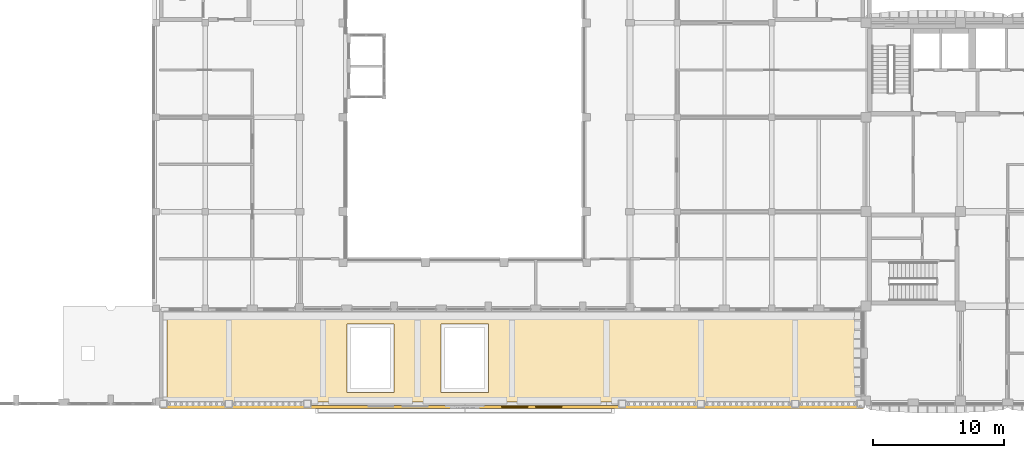
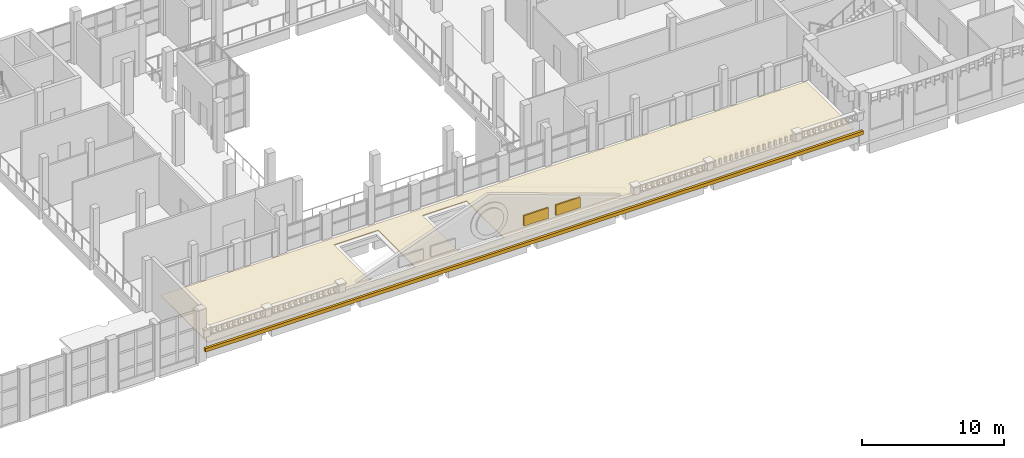
# One storey, part 35 of 58: 4 coverings.
"""IFC4 building model written with IfcOpenShell, lengths in metres."""

from ifc_helpers import new_model, si_unit, direction, frame, origin, origin_2d, place, context, subcontext, project, spatial, polyline, rectangle, outline, extrude, material, layer, layer_set, type_object, element, save


model = new_model("IFC4")

# Units and contexts
model_context = context("Model", 3, precision=1e-05, world=origin(), true_north=direction((0.0, 1.0)))
body_context = subcontext(model_context, "Body", "Model", "MODEL_VIEW")
ifc_project = project(units=[si_unit("LENGTHUNIT", "METRE"), si_unit("AREAUNIT", "SQUARE_METRE"), si_unit("VOLUMEUNIT", "CUBIC_METRE"), si_unit("PLANEANGLEUNIT", "RADIAN"), si_unit("MASSUNIT", "GRAM", prefix="KILO")], contexts=[model_context])

# Site, building, storey
site_placement = place(None, origin())
site = spatial("IfcSite", under=ifc_project, at=site_placement, CompositionType="ELEMENT")
building_placement = place(site_placement, origin())
building = spatial("IfcBuilding", under=site, at=building_placement, Name="Ussher Court Research Institute", CompositionType="ELEMENT")
storey_placement = place(building_placement, frame((0.0, 0.0, 9.89990234375)))
storey = spatial("IfcBuildingStorey", under=building, at=storey_placement, Name="L02", CompositionType="ELEMENT", Elevation=9.89990234375)

# Coverings
ifc_material_1 = material(Name="Limestone cornice", Category="masonry")
covering_type_1 = type_object("IfcCoveringType", Name="Cornice band 200x300", PredefinedType="CLADDING", material=ifc_material_1)
covering_1_placement = place(storey_placement, frame((55.199951171875, 3.5, 0.89990234375), z_axis=(0.0, 0.0, 1.0), x_axis=(1.0, 0.0, 0.0)))
element("IfcCovering", 1, at=covering_1_placement, inside=storey, type_object=covering_type_1, Name="Cornice CC3", PredefinedType="CLADDING", context=body_context, shape_type="SweptSolid", body=[
    extrude(rectangle(XDim=53.60009765625, YDim=0.199951171875, at=origin_2d()), origin(), (0.0, 0.0, 1.0), 0.300048828125),
])
ifc_material_2 = material(Name="Bituminous membrane with gravel ballast")
ifc_layer = layer(ifc_material_2, 0.080078125)
ifc_layer_set = layer_set([ifc_layer], Name="Bituminous membrane with gravel ballast")
covering_type_2 = type_object("IfcCoveringType", Name="Flat roof membrane and ballast 80", PredefinedType="ROOFING", material=ifc_layer_set)
covering_2_placement = place(storey_placement, frame((0.0, 0.0, 1.2001953125)))
element("IfcCovering", 2, at=covering_2_placement, inside=storey, type_object=covering_type_2, Name="Roof covering RC3 V6", PredefinedType="ROOFING", context=body_context, shape_type="SweptSolid", body=[
    extrude(outline(polyline([(28.89990234375, 10.60009765625), (81.5, 10.60009765625), (81.5, 3.89990234375), (28.89990234375, 3.89990234375), (28.89990234375, 10.60009765625)]), holes=[polyline([(53.39990234375, 9.85009765625), (49.800048828125, 9.85009765625), (49.800048828125, 4.60009765625), (53.39990234375, 4.60009765625), (53.39990234375, 9.85009765625)]), polyline([(42.60009765625, 9.85009765625), (42.60009765625, 4.60009765625), (46.199951171875, 4.60009765625), (46.199951171875, 9.85009765625), (42.60009765625, 9.85009765625)])]), origin(), (0.0, 0.0, 1.0), 0.079833984375),
])
ifc_material_3 = material(Name="Limestone cornice", Category="masonry")
covering_type_3 = type_object("IfcCoveringType", Name="Tympanum relief panel 2000x900", PredefinedType="CLADDING", material=ifc_material_3)
for number, where, z_axis, x_axis, name in (
    (3, (55.39990234375, 3.5400390625, 2.60009765625), (0.0, 0.0, 1.0), (1.0, 0.0, 0.0), "Tympanum relief panel CC36"),
    (4, (58.0, 3.5400390625, 2.60009765625), (0.0, 0.0, 1.0), (1.0, 0.0, 0.0), "Tympanum relief panel CC36"),
):
    element("IfcCovering", number, at=place(storey_placement, frame(where, z_axis=z_axis, x_axis=x_axis)), inside=storey, type_object=covering_type_3, Name=name, PredefinedType="CLADDING", context=body_context, shape_type="SweptSolid", body=[
        extrude(rectangle(XDim=2.0, YDim=0.1201171875, at=origin_2d()), origin(), (0.0, 0.0, 1.0), 0.89990234375),
    ])

save(model, "model.ifc")
